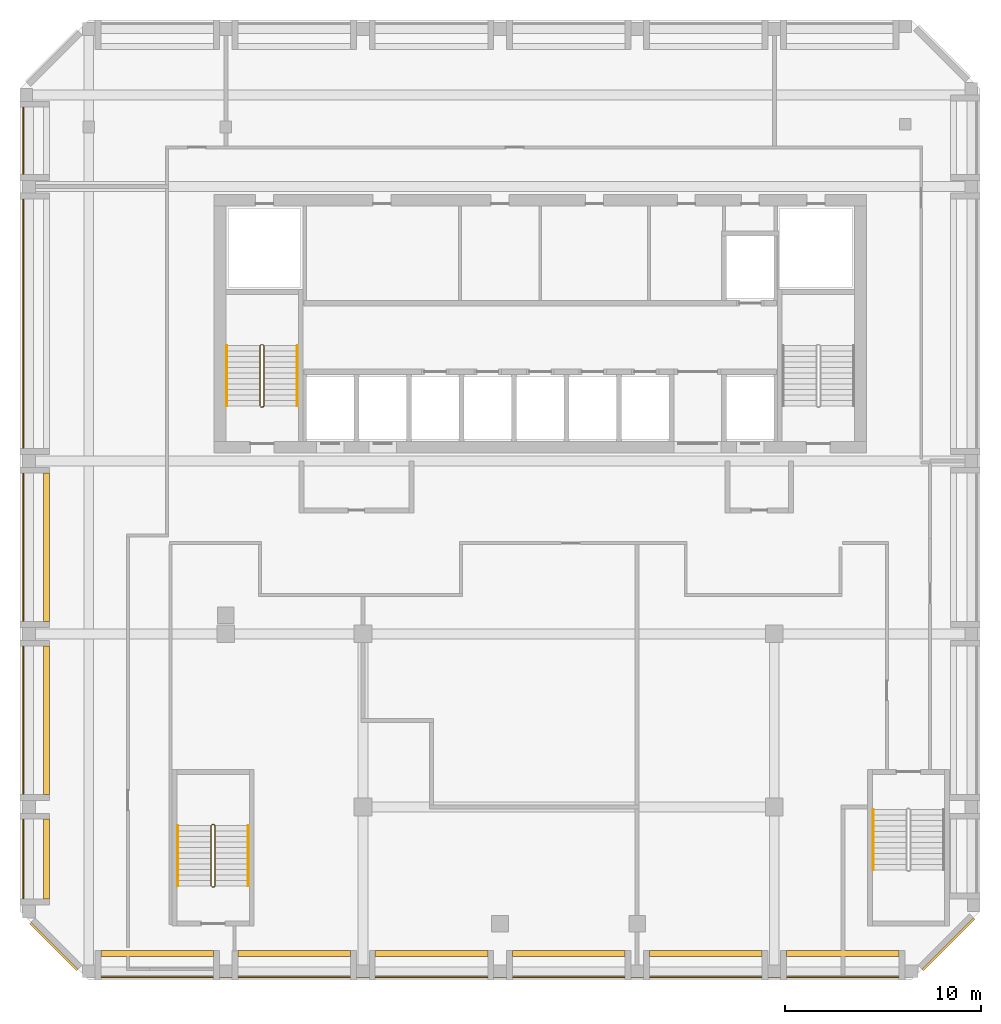
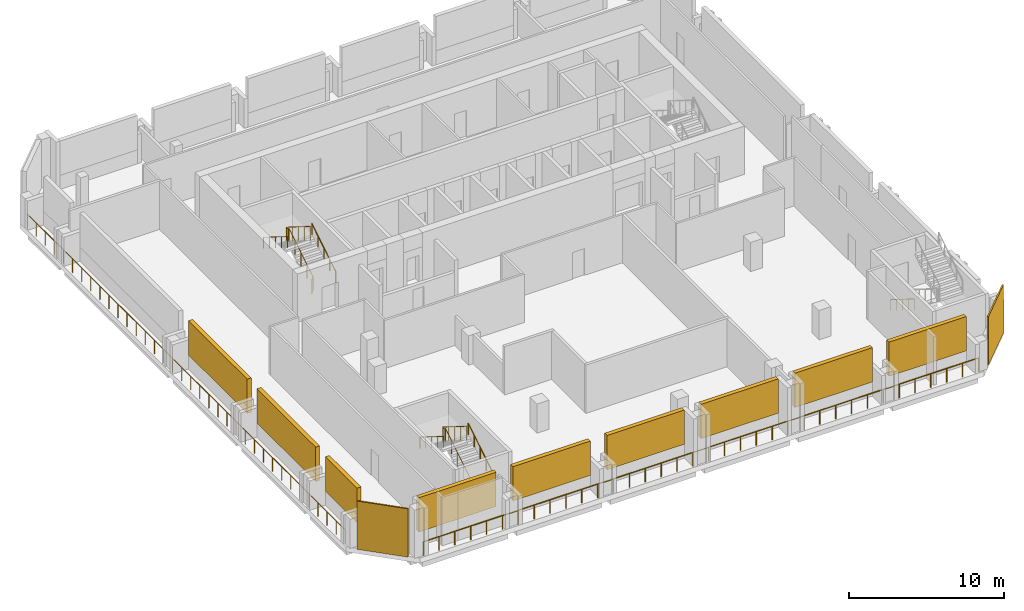
# One storey, part 6 of 7: 11 shading devices, 9 railings.
"""IFC4 building model written with IfcOpenShell, lengths in metres."""

from ifc_helpers import new_model, si_unit, direction, frame, origin, origin_2d, place, context, subcontext, project, spatial, rectangle, circle, extrude, source, transform, mapped, material, layer, layer_set, type_object, element, save


model = new_model("IFC4")

# Units and contexts
model_context = context("Model", 3, precision=1e-05, world=origin(), true_north=direction((0.0, 1.0)))
body_context = subcontext(model_context, "Body", "Model", "MODEL_VIEW")
ifc_project = project(units=[si_unit("LENGTHUNIT", "METRE"), si_unit("AREAUNIT", "SQUARE_METRE"), si_unit("VOLUMEUNIT", "CUBIC_METRE"), si_unit("PLANEANGLEUNIT", "RADIAN"), si_unit("MASSUNIT", "GRAM", prefix="KILO")], contexts=[model_context])

# Site, building, storey
site_placement = place(None, origin())
site = spatial("IfcSite", under=ifc_project, at=site_placement, CompositionType="ELEMENT")
building_placement = place(site_placement, origin())
building = spatial("IfcBuilding", under=site, at=building_placement, Name="Kilnfold Tower and Market Hall", CompositionType="ELEMENT")
storey_placement = place(building_placement, frame((0.0, 0.0, 290.800048828125)))
storey = spatial("IfcBuildingStorey", under=building, at=storey_placement, Name="L72 Plant Transfer Level", CompositionType="ELEMENT", Elevation=290.800048828125)

# Railings
ifc_material_1 = material(Name="Stainless steel 316", Category="steel")
railing_type_1 = type_object("IfcRailingType", Name="CORE STAIR GUARD 1100", PredefinedType="GUARDRAIL", material=ifc_material_1)
railing_1_placement = place(storey_placement, frame((-13.199951171875, 10.75, 0.0)))
element("IfcRailing", 1, at=railing_1_placement, inside=storey, type_object=railing_type_1, Name="L72 Plant Transfer Level ST1 stair guard 1", PredefinedType="GUARDRAIL", context=body_context, shape_type="SweptSolid", body=[
    extrude(circle(Radius=0.02392578125, at=origin_2d()), frame((0.0, 0.0, 1.076171875), z_axis=(1.0, 0.0, 0.0), x_axis=(0.0, 1.0, 0.0)), (0.0, 0.0, 1.0), 0.099853515625),
    extrude(circle(Radius=0.02392578125, at=origin_2d()), frame((0.099853515625, 0.0, 1.076171875), z_axis=(0.265065253269, 0.265065253269, 0.927081885822), x_axis=(-0.707106781187, 0.707106781187, 0.0)), (0.0, 0.0, 1.0), 0.188720703125),
    extrude(circle(Radius=0.02392578125, at=origin_2d()), frame((0.14990234375, 0.050048828125, 1.2509765625), z_axis=(0.0, 0.848009633417, 0.529980812513), x_axis=(-1.0, 0.0, 0.0)), (0.0, 0.0, 1.0), 3.6318359375),
    extrude(circle(Radius=0.02392578125, at=origin_2d()), frame((0.14990234375, 3.1298828125, 3.17578125), z_axis=(-0.707106781187, 0.707106781187, 0.0), x_axis=(-0.707106781187, -0.707106781187, 0.0)), (0.0, 0.0, 1.0), 0.07080078125),
    extrude(circle(Radius=0.02392578125, at=origin_2d()), frame((0.099853515625, 3.179931640625, 3.17578125), z_axis=(-1.0, 0.0, 0.0), x_axis=(0.0, -1.0, 0.0)), (0.0, 0.0, 1.0), 0.099853515625),
    extrude(circle(Radius=0.02392578125, at=origin_2d()), frame((0.0, 3.179931640625, 3.17578125), z_axis=(-0.265065253269, -0.265065253269, 0.927081885822), x_axis=(0.707106781187, -0.707106781187, 0.0)), (0.0, 0.0, 1.0), 0.188720703125),
    extrude(circle(Radius=0.02392578125, at=origin_2d()), frame((-0.050048828125, 3.1298828125, 3.35107421875), z_axis=(0.0, -0.847979421464, 0.530029150871), x_axis=(1.0, 0.0, 0.0)), (0.0, 0.0, 1.0), 3.632080078125),
    extrude(circle(Radius=0.02099609375, at=origin_2d()), origin(), (0.0, 0.0, 1.0), 1.052001953125),
    extrude(circle(Radius=0.02099609375, at=origin_2d()), frame((0.099853515625, 0.0, 0.0)), (0.0, 0.0, 1.0), 1.052001953125),
    extrude(circle(Radius=0.02099609375, at=origin_2d()), frame((0.14990234375, 0.050048828125, 0.175048828125)), (0.0, 0.0, 1.0), 1.052001953125),
    extrude(circle(Radius=0.02099609375, at=origin_2d()), frame((0.14990234375, 0.820068359375, 0.65625)), (0.0, 0.0, 1.0), 1.052001953125),
    extrude(circle(Radius=0.02099609375, at=origin_2d()), frame((0.14990234375, 1.58984375, 1.137451171875)), (0.0, 0.0, 1.0), 1.052001953125),
    extrude(circle(Radius=0.02099609375, at=origin_2d()), frame((0.14990234375, 2.35986328125, 1.61865234375)), (0.0, 0.0, 1.0), 1.052001953125),
    extrude(circle(Radius=0.02099609375, at=origin_2d()), frame((0.14990234375, 3.1298828125, 2.099853515625)), (0.0, 0.0, 1.0), 1.052001953125),
    extrude(circle(Radius=0.02099609375, at=origin_2d()), frame((0.099853515625, 3.179931640625, 2.099853515625)), (0.0, 0.0, 1.0), 1.052001953125),
    extrude(circle(Radius=0.02099609375, at=origin_2d()), frame((0.0, 3.179931640625, 2.099853515625)), (0.0, 0.0, 1.0), 1.052001953125),
    extrude(circle(Radius=0.02099609375, at=origin_2d()), frame((-0.050048828125, 3.1298828125, 2.27490234375)), (0.0, 0.0, 1.0), 1.052001953125),
    extrude(circle(Radius=0.02099609375, at=origin_2d()), frame((-0.050048828125, 2.35986328125, 2.756103515625)), (0.0, 0.0, 1.0), 1.052001953125),
    extrude(circle(Radius=0.02099609375, at=origin_2d()), frame((-0.050048828125, 1.58984375, 3.2373046875)), (0.0, 0.0, 1.0), 1.052001953125),
    extrude(circle(Radius=0.02099609375, at=origin_2d()), frame((-0.050048828125, 0.820068359375, 3.71875)), (0.0, 0.0, 1.0), 1.052001953125),
    extrude(circle(Radius=0.02099609375, at=origin_2d()), frame((-0.050048828125, 0.050048828125, 4.199951171875)), (0.0, 0.0, 1.0), 1.052001953125),
])
railing_2_placement = place(storey_placement, frame((-15.699951171875, -13.75, 0.0)))
element("IfcRailing", 2, at=railing_2_placement, inside=storey, type_object=railing_type_1, Name="L72 Plant Transfer Level ST3 stair guard 1", PredefinedType="GUARDRAIL", context=body_context, shape_type="SweptSolid", body=[
    extrude(circle(Radius=0.02392578125, at=origin_2d()), frame((0.0, 0.0, 1.076171875), z_axis=(1.0, 0.0, 0.0), x_axis=(0.0, 1.0, 0.0)), (0.0, 0.0, 1.0), 0.099853515625),
    extrude(circle(Radius=0.02392578125, at=origin_2d()), frame((0.099853515625, 0.0, 1.076171875), z_axis=(0.265065253269, 0.265065253269, 0.927081885822), x_axis=(-0.707106781187, 0.707106781187, 0.0)), (0.0, 0.0, 1.0), 0.188720703125),
    extrude(circle(Radius=0.02392578125, at=origin_2d()), frame((0.14990234375, 0.050048828125, 1.2509765625), z_axis=(0.0, 0.848009633417, 0.529980812513), x_axis=(-1.0, 0.0, 0.0)), (0.0, 0.0, 1.0), 3.6318359375),
    extrude(circle(Radius=0.02392578125, at=origin_2d()), frame((0.14990234375, 3.1298828125, 3.17578125), z_axis=(-0.707106781187, 0.707106781187, 0.0), x_axis=(-0.707106781187, -0.707106781187, 0.0)), (0.0, 0.0, 1.0), 0.07080078125),
    extrude(circle(Radius=0.02392578125, at=origin_2d()), frame((0.099853515625, 3.179931640625, 3.17578125), z_axis=(-1.0, 0.0, 0.0), x_axis=(0.0, -1.0, 0.0)), (0.0, 0.0, 1.0), 0.099853515625),
    extrude(circle(Radius=0.02392578125, at=origin_2d()), frame((0.0, 3.179931640625, 3.17578125), z_axis=(-0.265065253269, -0.265065253269, 0.927081885822), x_axis=(0.707106781187, -0.707106781187, 0.0)), (0.0, 0.0, 1.0), 0.188720703125),
    extrude(circle(Radius=0.02392578125, at=origin_2d()), frame((-0.050048828125, 3.1298828125, 3.35107421875), z_axis=(0.0, -0.847979421464, 0.530029150871), x_axis=(1.0, 0.0, 0.0)), (0.0, 0.0, 1.0), 3.632080078125),
    extrude(circle(Radius=0.02099609375, at=origin_2d()), origin(), (0.0, 0.0, 1.0), 1.052001953125),
    extrude(circle(Radius=0.02099609375, at=origin_2d()), frame((0.099853515625, 0.0, 0.0)), (0.0, 0.0, 1.0), 1.052001953125),
    extrude(circle(Radius=0.02099609375, at=origin_2d()), frame((0.14990234375, 0.050048828125, 0.175048828125)), (0.0, 0.0, 1.0), 1.052001953125),
    extrude(circle(Radius=0.02099609375, at=origin_2d()), frame((0.14990234375, 0.820068359375, 0.65625)), (0.0, 0.0, 1.0), 1.052001953125),
    extrude(circle(Radius=0.02099609375, at=origin_2d()), frame((0.14990234375, 1.58984375, 1.137451171875)), (0.0, 0.0, 1.0), 1.052001953125),
    extrude(circle(Radius=0.02099609375, at=origin_2d()), frame((0.14990234375, 2.35986328125, 1.61865234375)), (0.0, 0.0, 1.0), 1.052001953125),
    extrude(circle(Radius=0.02099609375, at=origin_2d()), frame((0.14990234375, 3.1298828125, 2.099853515625)), (0.0, 0.0, 1.0), 1.052001953125),
    extrude(circle(Radius=0.02099609375, at=origin_2d()), frame((0.099853515625, 3.179931640625, 2.099853515625)), (0.0, 0.0, 1.0), 1.052001953125),
    extrude(circle(Radius=0.02099609375, at=origin_2d()), frame((0.0, 3.179931640625, 2.099853515625)), (0.0, 0.0, 1.0), 1.052001953125),
    extrude(circle(Radius=0.02099609375, at=origin_2d()), frame((-0.050048828125, 3.1298828125, 2.27490234375)), (0.0, 0.0, 1.0), 1.052001953125),
    extrude(circle(Radius=0.02099609375, at=origin_2d()), frame((-0.050048828125, 2.35986328125, 2.756103515625)), (0.0, 0.0, 1.0), 1.052001953125),
    extrude(circle(Radius=0.02099609375, at=origin_2d()), frame((-0.050048828125, 1.58984375, 3.2373046875)), (0.0, 0.0, 1.0), 1.052001953125),
    extrude(circle(Radius=0.02099609375, at=origin_2d()), frame((-0.050048828125, 0.820068359375, 3.71875)), (0.0, 0.0, 1.0), 1.052001953125),
    extrude(circle(Radius=0.02099609375, at=origin_2d()), frame((-0.050048828125, 0.050048828125, 4.199951171875)), (0.0, 0.0, 1.0), 1.052001953125),
])
ifc_material_2 = material(Name="Stainless steel 316", Category="steel")
railing_type_2 = type_object("IfcRailingType", Name="CORE STAIR HANDRAIL 900", PredefinedType="HANDRAIL", material=ifc_material_2)
railing_3_placement = place(storey_placement, frame((-11.35009765625, 10.800048828125, 0.175048828125)))
element("IfcRailing", 3, at=railing_3_placement, inside=storey, type_object=railing_type_2, Name="L72 Plant Transfer Level ST1 stair handrail 1", PredefinedType="HANDRAIL", context=body_context, shape_type="SweptSolid", body=[
    extrude(circle(Radius=0.02392578125, at=origin_2d()), frame((0.0, 0.0, 0.8759765625), z_axis=(0.0, 0.848009633417, 0.529980812513), x_axis=(-1.0, 0.0, 0.0)), (0.0, 0.0, 1.0), 3.6318359375),
    extrude(circle(Radius=0.02099609375, at=origin_2d()), origin(), (0.0, 0.0, 1.0), 0.851806640625),
    extrude(circle(Radius=0.02099609375, at=origin_2d()), frame((0.0, 0.77001953125, 0.481201171875)), (0.0, 0.0, 1.0), 0.851806640625),
    extrude(circle(Radius=0.02099609375, at=origin_2d()), frame((0.0, 1.5400390625, 0.96240234375)), (0.0, 0.0, 1.0), 0.851806640625),
    extrude(circle(Radius=0.02099609375, at=origin_2d()), frame((0.0, 2.309814453125, 1.443603515625)), (0.0, 0.0, 1.0), 0.851806640625),
    extrude(circle(Radius=0.02099609375, at=origin_2d()), frame((0.0, 3.079833984375, 1.9248046875)), (0.0, 0.0, 1.0), 0.851806640625),
])
railing_4_placement = place(storey_placement, frame((-14.949951171875, 13.8798828125, 2.27490234375)))
element("IfcRailing", 4, at=railing_4_placement, inside=storey, type_object=railing_type_2, Name="L72 Plant Transfer Level ST1 stair handrail 2", PredefinedType="HANDRAIL", context=body_context, shape_type="SweptSolid", body=[
    extrude(circle(Radius=0.02392578125, at=origin_2d()), frame((0.0, 0.0, 0.8759765625), z_axis=(0.0, -0.847979421464, 0.530029150871), x_axis=(1.0, 0.0, 0.0)), (0.0, 0.0, 1.0), 3.632080078125),
    extrude(circle(Radius=0.02099609375, at=origin_2d()), origin(), (0.0, 0.0, 1.0), 0.851806640625),
    extrude(circle(Radius=0.02099609375, at=origin_2d()), frame((0.0, -0.77001953125, 0.481201171875)), (0.0, 0.0, 1.0), 0.851806640625),
    extrude(circle(Radius=0.02099609375, at=origin_2d()), frame((0.0, -1.5400390625, 0.96240234375)), (0.0, 0.0, 1.0), 0.851806640625),
    extrude(circle(Radius=0.02099609375, at=origin_2d()), frame((0.0, -2.309814453125, 1.44384765625)), (0.0, 0.0, 1.0), 0.851806640625),
    extrude(circle(Radius=0.02099609375, at=origin_2d()), frame((0.0, -3.079833984375, 1.925048828125)), (0.0, 0.0, 1.0), 0.851806640625),
])
railing_5_placement = place(storey_placement, frame((-13.85009765625, -13.699951171875, 0.175048828125)))
element("IfcRailing", 5, at=railing_5_placement, inside=storey, type_object=railing_type_2, Name="L72 Plant Transfer Level ST3 stair handrail 1", PredefinedType="HANDRAIL", context=body_context, shape_type="SweptSolid", body=[
    extrude(circle(Radius=0.02392578125, at=origin_2d()), frame((0.0, 0.0, 0.8759765625), z_axis=(0.0, 0.848009633417, 0.529980812513), x_axis=(-1.0, 0.0, 0.0)), (0.0, 0.0, 1.0), 3.6318359375),
    extrude(circle(Radius=0.02099609375, at=origin_2d()), origin(), (0.0, 0.0, 1.0), 0.851806640625),
    extrude(circle(Radius=0.02099609375, at=origin_2d()), frame((0.0, 0.77001953125, 0.481201171875)), (0.0, 0.0, 1.0), 0.851806640625),
    extrude(circle(Radius=0.02099609375, at=origin_2d()), frame((0.0, 1.5400390625, 0.96240234375)), (0.0, 0.0, 1.0), 0.851806640625),
    extrude(circle(Radius=0.02099609375, at=origin_2d()), frame((0.0, 2.309814453125, 1.443603515625)), (0.0, 0.0, 1.0), 0.851806640625),
    extrude(circle(Radius=0.02099609375, at=origin_2d()), frame((0.0, 3.079833984375, 1.9248046875)), (0.0, 0.0, 1.0), 0.851806640625),
])
railing_6_placement = place(storey_placement, frame((-17.449951171875, -10.6201171875, 2.27490234375)))
element("IfcRailing", 6, at=railing_6_placement, inside=storey, type_object=railing_type_2, Name="L72 Plant Transfer Level ST3 stair handrail 2", PredefinedType="HANDRAIL", context=body_context, shape_type="SweptSolid", body=[
    extrude(circle(Radius=0.02392578125, at=origin_2d()), frame((0.0, 0.0, 0.8759765625), z_axis=(0.0, -0.847979421464, 0.530029150871), x_axis=(1.0, 0.0, 0.0)), (0.0, 0.0, 1.0), 3.632080078125),
    extrude(circle(Radius=0.02099609375, at=origin_2d()), origin(), (0.0, 0.0, 1.0), 0.851806640625),
    extrude(circle(Radius=0.02099609375, at=origin_2d()), frame((0.0, -0.77001953125, 0.481201171875)), (0.0, 0.0, 1.0), 0.851806640625),
    extrude(circle(Radius=0.02099609375, at=origin_2d()), frame((0.0, -1.5400390625, 0.96240234375)), (0.0, 0.0, 1.0), 0.851806640625),
    extrude(circle(Radius=0.02099609375, at=origin_2d()), frame((0.0, -2.309814453125, 1.44384765625)), (0.0, 0.0, 1.0), 0.851806640625),
    extrude(circle(Radius=0.02099609375, at=origin_2d()), frame((0.0, -3.079833984375, 1.925048828125)), (0.0, 0.0, 1.0), 0.851806640625),
])
railing_7_placement = place(storey_placement, frame((18.050048828125, -9.800048828125, 0.175048828125)))
element("IfcRailing", 7, at=railing_7_placement, inside=storey, type_object=railing_type_2, Name="L72 Plant Transfer Level ST4 stair handrail 1", PredefinedType="HANDRAIL", context=body_context, shape_type="SweptSolid", body=[
    extrude(circle(Radius=0.02392578125, at=origin_2d()), frame((0.0, 0.0, 0.8759765625), z_axis=(0.0, -0.848009633417, 0.529980812513), x_axis=(1.0, 0.0, 0.0)), (0.0, 0.0, 1.0), 3.6318359375),
    extrude(circle(Radius=0.02099609375, at=origin_2d()), origin(), (0.0, 0.0, 1.0), 0.851806640625),
    extrude(circle(Radius=0.02099609375, at=origin_2d()), frame((0.0, -0.77001953125, 0.481201171875)), (0.0, 0.0, 1.0), 0.851806640625),
    extrude(circle(Radius=0.02099609375, at=origin_2d()), frame((0.0, -1.5400390625, 0.96240234375)), (0.0, 0.0, 1.0), 0.851806640625),
    extrude(circle(Radius=0.02099609375, at=origin_2d()), frame((0.0, -2.309814453125, 1.443603515625)), (0.0, 0.0, 1.0), 0.851806640625),
    extrude(circle(Radius=0.02099609375, at=origin_2d()), frame((0.0, -3.079833984375, 1.9248046875)), (0.0, 0.0, 1.0), 0.851806640625),
])
ifc_material_3 = material(Name="Stainless steel and laminated glass", Category="steel")
railing_type_3 = type_object("IfcRailingType", Name="GUARD 1100", PredefinedType="GUARDRAIL", material=ifc_material_3)
railing_8_placement = place(storey_placement, frame((-21.675048828125, -18.35009765625, 0.0)))
element("IfcRailing", 8, at=railing_8_placement, inside=storey, type_object=railing_type_3, Name="Guard plant edge S L72", PredefinedType="GUARDRAIL", context=body_context, shape_type="SweptSolid", body=[
    extrude(circle(Radius=0.02490234375, at=origin_2d()), frame((0.0, 0.0, 1.0751953125), z_axis=(1.0, 0.0, 0.0), x_axis=(0.0, 1.0, 0.0)), (0.0, 0.0, 1.0), 41.35009765625),
    extrude(circle(Radius=0.02490234375, at=origin_2d()), origin(), (0.0, 0.0, 1.0), 1.050048828125),
    extrude(circle(Radius=0.02490234375, at=origin_2d()), frame((1.181396484375, 0.0, 0.0)), (0.0, 0.0, 1.0), 1.050048828125),
    extrude(circle(Radius=0.02490234375, at=origin_2d()), frame((2.36279296875, 0.0, 0.0)), (0.0, 0.0, 1.0), 1.050048828125),
    extrude(circle(Radius=0.02490234375, at=origin_2d()), frame((3.544189453125, 0.0, 0.0)), (0.0, 0.0, 1.0), 1.050048828125),
    extrude(circle(Radius=0.02490234375, at=origin_2d()), frame((4.725830078125, 0.0, 0.0)), (0.0, 0.0, 1.0), 1.050048828125),
    extrude(circle(Radius=0.02490234375, at=origin_2d()), frame((5.9072265625, 0.0, 0.0)), (0.0, 0.0, 1.0), 1.050048828125),
    extrude(circle(Radius=0.02490234375, at=origin_2d()), frame((7.088623046875, 0.0, 0.0)), (0.0, 0.0, 1.0), 1.050048828125),
    extrude(circle(Radius=0.02490234375, at=origin_2d()), frame((8.27001953125, 0.0, 0.0)), (0.0, 0.0, 1.0), 1.050048828125),
    extrude(circle(Radius=0.02490234375, at=origin_2d()), frame((9.451416015625, 0.0, 0.0)), (0.0, 0.0, 1.0), 1.050048828125),
    extrude(circle(Radius=0.02490234375, at=origin_2d()), frame((10.6328125, 0.0, 0.0)), (0.0, 0.0, 1.0), 1.050048828125),
    extrude(circle(Radius=0.02490234375, at=origin_2d()), frame((11.814208984375, 0.0, 0.0)), (0.0, 0.0, 1.0), 1.050048828125),
    extrude(circle(Radius=0.02490234375, at=origin_2d()), frame((12.995849609375, 0.0, 0.0)), (0.0, 0.0, 1.0), 1.050048828125),
    extrude(circle(Radius=0.02490234375, at=origin_2d()), frame((14.17724609375, 0.0, 0.0)), (0.0, 0.0, 1.0), 1.050048828125),
    extrude(circle(Radius=0.02490234375, at=origin_2d()), frame((15.358642578125, 0.0, 0.0)), (0.0, 0.0, 1.0), 1.050048828125),
    extrude(circle(Radius=0.02490234375, at=origin_2d()), frame((16.5400390625, 0.0, 0.0)), (0.0, 0.0, 1.0), 1.050048828125),
    extrude(circle(Radius=0.02490234375, at=origin_2d()), frame((17.721435546875, 0.0, 0.0)), (0.0, 0.0, 1.0), 1.050048828125),
    extrude(circle(Radius=0.02490234375, at=origin_2d()), frame((18.90283203125, 0.0, 0.0)), (0.0, 0.0, 1.0), 1.050048828125),
    extrude(circle(Radius=0.02490234375, at=origin_2d()), frame((20.084228515625, 0.0, 0.0)), (0.0, 0.0, 1.0), 1.050048828125),
    extrude(circle(Radius=0.02490234375, at=origin_2d()), frame((21.265869140625, 0.0, 0.0)), (0.0, 0.0, 1.0), 1.050048828125),
    extrude(circle(Radius=0.02490234375, at=origin_2d()), frame((22.447265625, 0.0, 0.0)), (0.0, 0.0, 1.0), 1.050048828125),
    extrude(circle(Radius=0.02490234375, at=origin_2d()), frame((23.628662109375, 0.0, 0.0)), (0.0, 0.0, 1.0), 1.050048828125),
    extrude(circle(Radius=0.02490234375, at=origin_2d()), frame((24.81005859375, 0.0, 0.0)), (0.0, 0.0, 1.0), 1.050048828125),
    extrude(circle(Radius=0.02490234375, at=origin_2d()), frame((25.991455078125, 0.0, 0.0)), (0.0, 0.0, 1.0), 1.050048828125),
    extrude(circle(Radius=0.02490234375, at=origin_2d()), frame((27.1728515625, 0.0, 0.0)), (0.0, 0.0, 1.0), 1.050048828125),
    extrude(circle(Radius=0.02490234375, at=origin_2d()), frame((28.354248046875, 0.0, 0.0)), (0.0, 0.0, 1.0), 1.050048828125),
    extrude(circle(Radius=0.02490234375, at=origin_2d()), frame((29.535888671875, 0.0, 0.0)), (0.0, 0.0, 1.0), 1.050048828125),
    extrude(circle(Radius=0.02490234375, at=origin_2d()), frame((30.71728515625, 0.0, 0.0)), (0.0, 0.0, 1.0), 1.050048828125),
    extrude(circle(Radius=0.02490234375, at=origin_2d()), frame((31.898681640625, 0.0, 0.0)), (0.0, 0.0, 1.0), 1.050048828125),
    extrude(circle(Radius=0.02490234375, at=origin_2d()), frame((33.080078125, 0.0, 0.0)), (0.0, 0.0, 1.0), 1.050048828125),
    extrude(circle(Radius=0.02490234375, at=origin_2d()), frame((34.261474609375, 0.0, 0.0)), (0.0, 0.0, 1.0), 1.050048828125),
    extrude(circle(Radius=0.02490234375, at=origin_2d()), frame((35.44287109375, 0.0, 0.0)), (0.0, 0.0, 1.0), 1.050048828125),
    extrude(circle(Radius=0.02490234375, at=origin_2d()), frame((36.624267578125, 0.0, 0.0)), (0.0, 0.0, 1.0), 1.050048828125),
    extrude(circle(Radius=0.02490234375, at=origin_2d()), frame((37.805908203125, 0.0, 0.0)), (0.0, 0.0, 1.0), 1.050048828125),
    extrude(circle(Radius=0.02490234375, at=origin_2d()), frame((38.9873046875, 0.0, 0.0)), (0.0, 0.0, 1.0), 1.050048828125),
    extrude(circle(Radius=0.02490234375, at=origin_2d()), frame((40.168701171875, 0.0, 0.0)), (0.0, 0.0, 1.0), 1.050048828125),
    extrude(circle(Radius=0.02490234375, at=origin_2d()), frame((41.35009765625, 0.0, 0.0)), (0.0, 0.0, 1.0), 1.050048828125),
])
railing_9_placement = place(storey_placement, frame((-25.35009765625, 26.356689453125, 0.0)))
element("IfcRailing", 9, at=railing_9_placement, inside=storey, type_object=railing_type_3, Name="Guard plant edge W L72", PredefinedType="GUARDRAIL", context=body_context, shape_type="SweptSolid", body=[
    extrude(circle(Radius=0.02490234375, at=origin_2d()), frame((0.0, 0.0, 1.0751953125), z_axis=(0.0, -1.0, 0.0), x_axis=(1.0, 0.0, 0.0)), (0.0, 0.0, 1.0), 41.03173828125),
    extrude(circle(Radius=0.02490234375, at=origin_2d()), origin(), (0.0, 0.0, 1.0), 1.050048828125),
    extrude(circle(Radius=0.02490234375, at=origin_2d()), frame((0.0, -1.17236328125, 0.0)), (0.0, 0.0, 1.0), 1.050048828125),
    extrude(circle(Radius=0.02490234375, at=origin_2d()), frame((0.0, -2.3447265625, 0.0)), (0.0, 0.0, 1.0), 1.050048828125),
    extrude(circle(Radius=0.02490234375, at=origin_2d()), frame((0.0, -3.51708984375, 0.0)), (0.0, 0.0, 1.0), 1.050048828125),
    extrude(circle(Radius=0.02490234375, at=origin_2d()), frame((0.0, -4.689453125, 0.0)), (0.0, 0.0, 1.0), 1.050048828125),
    extrude(circle(Radius=0.02490234375, at=origin_2d()), frame((0.0, -5.861572265625, 0.0)), (0.0, 0.0, 1.0), 1.050048828125),
    extrude(circle(Radius=0.02490234375, at=origin_2d()), frame((0.0, -7.033935546875, 0.0)), (0.0, 0.0, 1.0), 1.050048828125),
    extrude(circle(Radius=0.02490234375, at=origin_2d()), frame((0.0, -8.206298828125, 0.0)), (0.0, 0.0, 1.0), 1.050048828125),
    extrude(circle(Radius=0.02490234375, at=origin_2d()), frame((0.0, -9.378662109375, 0.0)), (0.0, 0.0, 1.0), 1.050048828125),
    extrude(circle(Radius=0.02490234375, at=origin_2d()), frame((0.0, -10.551025390625, 0.0)), (0.0, 0.0, 1.0), 1.050048828125),
    extrude(circle(Radius=0.02490234375, at=origin_2d()), frame((0.0, -11.723388671875, 0.0)), (0.0, 0.0, 1.0), 1.050048828125),
    extrude(circle(Radius=0.02490234375, at=origin_2d()), frame((0.0, -12.895751953125, 0.0)), (0.0, 0.0, 1.0), 1.050048828125),
    extrude(circle(Radius=0.02490234375, at=origin_2d()), frame((0.0, -14.068115234375, 0.0)), (0.0, 0.0, 1.0), 1.050048828125),
    extrude(circle(Radius=0.02490234375, at=origin_2d()), frame((0.0, -15.240478515625, 0.0)), (0.0, 0.0, 1.0), 1.050048828125),
    extrude(circle(Radius=0.02490234375, at=origin_2d()), frame((0.0, -16.41259765625, 0.0)), (0.0, 0.0, 1.0), 1.050048828125),
    extrude(circle(Radius=0.02490234375, at=origin_2d()), frame((0.0, -17.5849609375, 0.0)), (0.0, 0.0, 1.0), 1.050048828125),
    extrude(circle(Radius=0.02490234375, at=origin_2d()), frame((0.0, -18.75732421875, 0.0)), (0.0, 0.0, 1.0), 1.050048828125),
    extrude(circle(Radius=0.02490234375, at=origin_2d()), frame((0.0, -19.9296875, 0.0)), (0.0, 0.0, 1.0), 1.050048828125),
    extrude(circle(Radius=0.02490234375, at=origin_2d()), frame((0.0, -21.10205078125, 0.0)), (0.0, 0.0, 1.0), 1.050048828125),
    extrude(circle(Radius=0.02490234375, at=origin_2d()), frame((0.0, -22.2744140625, 0.0)), (0.0, 0.0, 1.0), 1.050048828125),
    extrude(circle(Radius=0.02490234375, at=origin_2d()), frame((0.0, -23.44677734375, 0.0)), (0.0, 0.0, 1.0), 1.050048828125),
    extrude(circle(Radius=0.02490234375, at=origin_2d()), frame((0.0, -24.619140625, 0.0)), (0.0, 0.0, 1.0), 1.050048828125),
    extrude(circle(Radius=0.02490234375, at=origin_2d()), frame((0.0, -25.791259765625, 0.0)), (0.0, 0.0, 1.0), 1.050048828125),
    extrude(circle(Radius=0.02490234375, at=origin_2d()), frame((0.0, -26.963623046875, 0.0)), (0.0, 0.0, 1.0), 1.050048828125),
    extrude(circle(Radius=0.02490234375, at=origin_2d()), frame((0.0, -28.135986328125, 0.0)), (0.0, 0.0, 1.0), 1.050048828125),
    extrude(circle(Radius=0.02490234375, at=origin_2d()), frame((0.0, -29.308349609375, 0.0)), (0.0, 0.0, 1.0), 1.050048828125),
    extrude(circle(Radius=0.02490234375, at=origin_2d()), frame((0.0, -30.480712890625, 0.0)), (0.0, 0.0, 1.0), 1.050048828125),
    extrude(circle(Radius=0.02490234375, at=origin_2d()), frame((0.0, -31.653076171875, 0.0)), (0.0, 0.0, 1.0), 1.050048828125),
    extrude(circle(Radius=0.02490234375, at=origin_2d()), frame((0.0, -32.825439453125, 0.0)), (0.0, 0.0, 1.0), 1.050048828125),
    extrude(circle(Radius=0.02490234375, at=origin_2d()), frame((0.0, -33.997802734375, 0.0)), (0.0, 0.0, 1.0), 1.050048828125),
    extrude(circle(Radius=0.02490234375, at=origin_2d()), frame((0.0, -35.170166015625, 0.0)), (0.0, 0.0, 1.0), 1.050048828125),
    extrude(circle(Radius=0.02490234375, at=origin_2d()), frame((0.0, -36.34228515625, 0.0)), (0.0, 0.0, 1.0), 1.050048828125),
    extrude(circle(Radius=0.02490234375, at=origin_2d()), frame((0.0, -37.5146484375, 0.0)), (0.0, 0.0, 1.0), 1.050048828125),
    extrude(circle(Radius=0.02490234375, at=origin_2d()), frame((0.0, -38.68701171875, 0.0)), (0.0, 0.0, 1.0), 1.050048828125),
    extrude(circle(Radius=0.02490234375, at=origin_2d()), frame((0.0, -39.859375, 0.0)), (0.0, 0.0, 1.0), 1.050048828125),
    extrude(circle(Radius=0.02490234375, at=origin_2d()), frame((0.0, -41.03173828125, 0.0)), (0.0, 0.0, 1.0), 1.050048828125),
])

# Shading devices
ifc_material_4 = material(Name="Anodised aluminium", Category="aluminium")
shading_device_type_1 = type_object("IfcShadingDeviceType", Name="LOUVRE", PredefinedType="JALOUSIE", material=ifc_material_4)
shared_shape_1 = source(origin(), body_context, "Body", "SweptSolid", [
    extrude(rectangle(XDim=5.75, YDim=0.300048828125, at=origin_2d()), origin(), (0.0, 0.0, 1.0), 2.699951171875),
])
for number, where, z_axis, x_axis, name in (
    (10, (-18.5, -17.14990234375, 1.10009765625), (0.0, 0.0, 1.0), (1.0, 0.0, 0.0), "Plant louvre L72 S"),
    (11, (-11.5, -17.14990234375, 1.10009765625), (0.0, 0.0, 1.0), (1.0, 0.0, 0.0), "Plant louvre L72 S"),
    (12, (-4.5, -17.14990234375, 1.10009765625), (0.0, 0.0, 1.0), (1.0, 0.0, 0.0), "Plant louvre L72 S"),
    (13, (2.5, -17.14990234375, 1.10009765625), (0.0, 0.0, 1.0), (1.0, 0.0, 0.0), "Plant louvre L72 S"),
    (14, (9.5, -17.14990234375, 1.10009765625), (0.0, 0.0, 1.0), (1.0, 0.0, 0.0), "Plant louvre L72 S"),
    (15, (16.5, -17.14990234375, 1.10009765625), (0.0, 0.0, 1.0), (1.0, 0.0, 0.0), "Plant louvre L72 S"),
):
    element("IfcShadingDevice", number, at=place(storey_placement, frame(where, z_axis=z_axis, x_axis=x_axis)), inside=storey, type_object=shading_device_type_1, Name=name, ObjectType="LOUVRE", PredefinedType="JALOUSIE", context=body_context, shape_type="MappedRepresentation", body=[
        mapped(shared_shape_1, transform((0.0, 0.0, 0.0))),
    ])
ifc_material_5 = material(Name="Terracotta", Category="masonry")
ifc_layer = layer(ifc_material_5, 0.10009765625)
ifc_layer_set = layer_set([ifc_layer], Name="Terracotta")
shading_device_type_2 = type_object("IfcShadingDeviceType", Name="TERRACOTTA SCREEN 100", PredefinedType="USERDEFINED", material=ifc_layer_set)
shared_shape_2 = source(origin(), body_context, "Body", "SweptSolid", [
    extrude(rectangle(XDim=3.71240234375, YDim=0.10009765625, at=origin_2d()), origin(), (0.0, 0.0, 1.0), 3.800048828125),
])
shading_device_1_placement = place(storey_placement, frame((21.897705078125, -16.6728515625, 0.0), z_axis=(0.0, 0.0, 1.0), x_axis=(0.707106781187, 0.707106781187, 0.0)))
element("IfcShadingDevice", 16, at=shading_device_1_placement, inside=storey, type_object=shading_device_type_2, Name="Plant screen L72 SE", ObjectType="SCREEN", PredefinedType="USERDEFINED", context=body_context, shape_type="MappedRepresentation", body=[
    mapped(shared_shape_2, transform((0.0, 0.0, 0.0))),
])
shared_shape_3 = source(origin(), body_context, "Body", "SweptSolid", [
    extrude(rectangle(XDim=7.58349609375, YDim=0.300048828125, at=origin_2d()), origin(), (0.0, 0.0, 1.0), 2.699951171875),
])
shading_device_2_placement = place(storey_placement, frame((-24.14990234375, -5.25, 1.10009765625), z_axis=(0.0, 0.0, 1.0), x_axis=(0.0, -1.0, 0.0)))
element("IfcShadingDevice", 17, at=shading_device_2_placement, inside=storey, type_object=shading_device_type_1, Name="Plant louvre L72 W", ObjectType="LOUVRE", PredefinedType="JALOUSIE", context=body_context, shape_type="MappedRepresentation", body=[
    mapped(shared_shape_3, transform((0.0, 0.0, 0.0))),
])
shared_shape_4 = source(origin(), body_context, "Body", "SweptSolid", [
    extrude(rectangle(XDim=7.583251953125, YDim=0.300048828125, at=origin_2d()), origin(), (0.0, 0.0, 1.0), 2.699951171875),
])
shading_device_3_placement = place(storey_placement, frame((-24.14990234375, 3.58349609375, 1.10009765625), z_axis=(0.0, 0.0, 1.0), x_axis=(0.0, -1.0, 0.0)))
element("IfcShadingDevice", 18, at=shading_device_3_placement, inside=storey, type_object=shading_device_type_1, Name="Plant louvre L72 W", ObjectType="LOUVRE", PredefinedType="JALOUSIE", context=body_context, shape_type="MappedRepresentation", body=[
    mapped(shared_shape_4, transform((0.0, 0.0, 0.0))),
])
shared_shape_5 = source(origin(), body_context, "Body", "SweptSolid", [
    extrude(rectangle(XDim=4.083251953125, YDim=0.300048828125, at=origin_2d()), origin(), (0.0, 0.0, 1.0), 2.699951171875),
])
shading_device_4_placement = place(storey_placement, frame((-24.14990234375, -12.333251953125, 1.10009765625), z_axis=(0.0, 0.0, 1.0), x_axis=(0.0, -1.0, 0.0)))
element("IfcShadingDevice", 19, at=shading_device_4_placement, inside=storey, type_object=shading_device_type_1, Name="Plant louvre L72 W", ObjectType="LOUVRE", PredefinedType="JALOUSIE", context=body_context, shape_type="MappedRepresentation", body=[
    mapped(shared_shape_5, transform((0.0, 0.0, 0.0))),
])
shared_shape_6 = source(origin(), body_context, "Body", "SweptSolid", [
    extrude(rectangle(XDim=3.39404296875, YDim=0.10009765625, at=origin_2d()), origin(), (0.0, 0.0, 1.0), 3.800048828125),
])
shading_device_5_placement = place(storey_placement, frame((-23.785400390625, -16.785400390625, 0.0), z_axis=(0.0, 0.0, 1.0), x_axis=(0.707106781187, -0.707106781187, 0.0)))
element("IfcShadingDevice", 20, at=shading_device_5_placement, inside=storey, type_object=shading_device_type_2, Name="Plant screen L72 SW", ObjectType="SCREEN", PredefinedType="USERDEFINED", context=body_context, shape_type="MappedRepresentation", body=[
    mapped(shared_shape_6, transform((0.0, 0.0, 0.0))),
])

save(model, "model.ifc")
